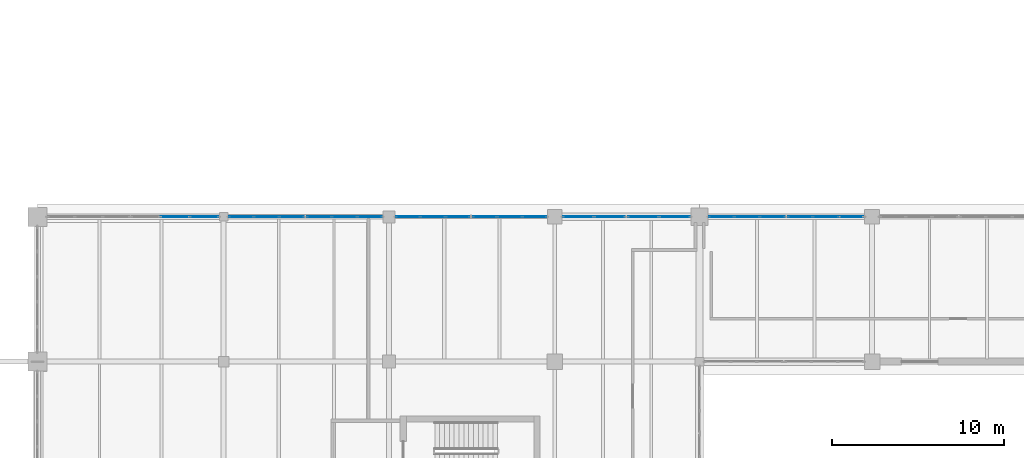
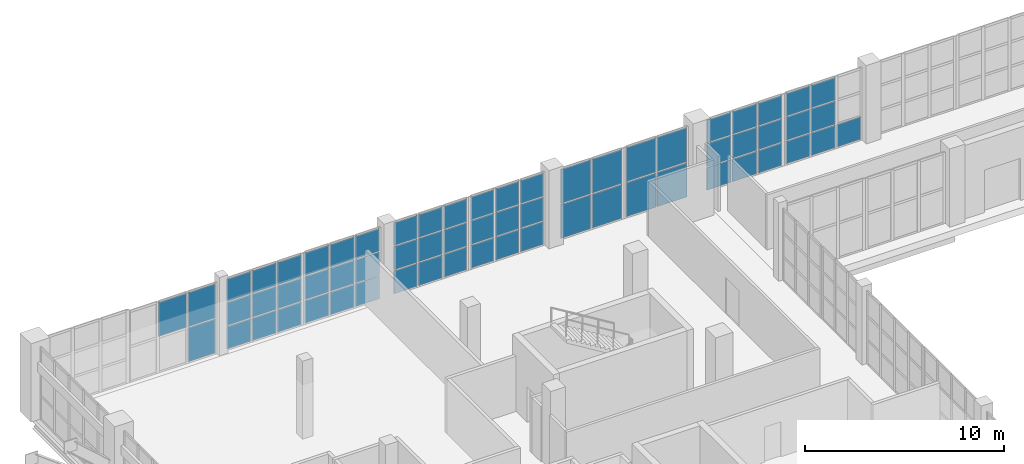
# One storey, part 75 of 121: 63 plates, 9 elements without a shape of their own.
"""IFC4 building model written with IfcOpenShell, lengths in metres."""

from ifc_helpers import new_model, si_unit, direction, frame, origin, origin_2d, place, context, subcontext, project, spatial, rectangle, extrude, material, layer, layer_set, type_object, element, aggregate, save


model = new_model("IFC4")

# Units and contexts
model_context = context("Model", 3, precision=1e-05, world=origin(), true_north=direction((0.0, 1.0)))
body_context = subcontext(model_context, "Body", "Model", "MODEL_VIEW")
ifc_project = project(units=[si_unit("LENGTHUNIT", "METRE"), si_unit("AREAUNIT", "SQUARE_METRE"), si_unit("VOLUMEUNIT", "CUBIC_METRE"), si_unit("PLANEANGLEUNIT", "RADIAN"), si_unit("MASSUNIT", "GRAM", prefix="KILO")], contexts=[model_context])

# Site, building, storey
site_placement = place(None, origin())
site = spatial("IfcSite", under=ifc_project, at=site_placement, CompositionType="ELEMENT")
building_placement = place(site_placement, origin())
building = spatial("IfcBuilding", under=site, at=building_placement, Name="Zereglee Splitstone Museum", CompositionType="ELEMENT")
storey_placement = place(building_placement, origin())
storey = spatial("IfcBuildingStorey", under=building, at=storey_placement, Name="L00", CompositionType="ELEMENT", Elevation=0.0)

# Curtain wall, plates
ifc_material_1 = material(Name="Triple-glazed low-E argon glass and bronze-anodised aluminium", Category="aluminium")
ifc_layer_1 = layer(ifc_material_1, 0.179931640625)
ifc_layer_set_1 = layer_set([ifc_layer_1], Name="Triple-glazed low-E argon glass and bronze-anodised aluminium")
curtain_wall_type_1 = type_object("IfcCurtainWallType", Name="CW-0449-444", PredefinedType="USERDEFINED", material=ifc_layer_set_1)
curtain_wall_1_placement = place(storey_placement, origin())
curtain_wall_1 = element("IfcCurtainWall", 1, at=curtain_wall_1_placement, inside=storey, type_object=curtain_wall_type_1, Name="Glazed Curtain Wall CW-0449-444 (L00)", ObjectType="GLAZED CURTAIN WALL", PredefinedType="USERDEFINED")
ifc_material_2 = material(Name="Triple low-e argon insulated safety glass", Category="glass")
ifc_layer_2 = layer(ifc_material_2, 0.035888671875)
ifc_layer_set_2 = layer_set([ifc_layer_2], Name="Triple low-e argon insulated safety glass")
plate_type = type_object("IfcPlateType", Name="CWP-01", PredefinedType="CURTAIN_PANEL", material=ifc_layer_set_2)
plate_1_placement = place(storey_placement, frame((56.802490234375, 38.39990234375, 0.06494140625), z_axis=(0.0, 0.0, 1.0), x_axis=(-1.0, 0.0, 0.0)))
plate_1 = element("IfcPlate", 2, at=plate_1_placement, type_object=plate_type, Name="CW-0449-444 panel 1.1", PredefinedType="CURTAIN_PANEL", context=body_context, shape_type="SweptSolid", body=[
    extrude(rectangle(XDim=1.39892578125, YDim=0.035888671875, at=origin_2d()), origin(), (0.0, 0.0, 1.0), 1.382568359375),
])
plate_2_placement = place(storey_placement, frame((55.322265625, 38.39990234375, 0.06494140625), z_axis=(0.0, 0.0, 1.0), x_axis=(-1.0, 0.0, 0.0)))
plate_2 = element("IfcPlate", 3, at=plate_2_placement, type_object=plate_type, Name="CW-0449-444 panel 2.1", PredefinedType="CURTAIN_PANEL", context=body_context, shape_type="SweptSolid", body=[
    extrude(rectangle(XDim=1.431396484375, YDim=0.035888671875, at=origin_2d()), origin(), (0.0, 0.0, 1.0), 1.382568359375),
])
plate_3_placement = place(storey_placement, frame((55.322265625, 38.39990234375, 1.512451171875), z_axis=(0.0, 0.0, 1.0), x_axis=(-1.0, 0.0, 0.0)))
plate_3 = element("IfcPlate", 4, at=plate_3_placement, type_object=plate_type, Name="CW-0449-444 panel 2.2", PredefinedType="CURTAIN_PANEL", context=body_context, shape_type="SweptSolid", body=[
    extrude(rectangle(XDim=1.431396484375, YDim=0.035888671875, at=origin_2d()), origin(), (0.0, 0.0, 1.0), 1.4150390625),
])
plate_4_placement = place(storey_placement, frame((55.322265625, 38.39990234375, 2.99267578125), z_axis=(0.0, 0.0, 1.0), x_axis=(-1.0, 0.0, 0.0)))
plate_4 = element("IfcPlate", 5, at=plate_4_placement, type_object=plate_type, Name="CW-0449-444 panel 2.3", PredefinedType="CURTAIN_PANEL", context=body_context, shape_type="SweptSolid", body=[
    extrude(rectangle(XDim=1.431396484375, YDim=0.035888671875, at=origin_2d()), origin(), (0.0, 0.0, 1.0), 1.382568359375),
])
plate_5_placement = place(storey_placement, frame((53.842041015625, 38.39990234375, 0.06494140625), z_axis=(0.0, 0.0, 1.0), x_axis=(-1.0, 0.0, 0.0)))
plate_5 = element("IfcPlate", 6, at=plate_5_placement, type_object=plate_type, Name="CW-0449-444 panel 3.1", PredefinedType="CURTAIN_PANEL", context=body_context, shape_type="SweptSolid", body=[
    extrude(rectangle(XDim=1.39892578125, YDim=0.035888671875, at=origin_2d()), origin(), (0.0, 0.0, 1.0), 1.382568359375),
])
plate_6_placement = place(storey_placement, frame((53.842041015625, 38.39990234375, 1.512451171875), z_axis=(0.0, 0.0, 1.0), x_axis=(-1.0, 0.0, 0.0)))
plate_6 = element("IfcPlate", 7, at=plate_6_placement, type_object=plate_type, Name="CW-0449-444 panel 3.2", PredefinedType="CURTAIN_PANEL", context=body_context, shape_type="SweptSolid", body=[
    extrude(rectangle(XDim=1.39892578125, YDim=0.035888671875, at=origin_2d()), origin(), (0.0, 0.0, 1.0), 1.4150390625),
])
plate_7_placement = place(storey_placement, frame((53.842041015625, 38.39990234375, 2.99267578125), z_axis=(0.0, 0.0, 1.0), x_axis=(-1.0, 0.0, 0.0)))
plate_7 = element("IfcPlate", 8, at=plate_7_placement, type_object=plate_type, Name="CW-0449-444 panel 3.3", PredefinedType="CURTAIN_PANEL", context=body_context, shape_type="SweptSolid", body=[
    extrude(rectangle(XDim=1.39892578125, YDim=0.035888671875, at=origin_2d()), origin(), (0.0, 0.0, 1.0), 1.382568359375),
])
aggregate(curtain_wall_1, [plate_1, plate_2, plate_3, plate_4, plate_5, plate_6, plate_7])

ifc_layer_3 = layer(ifc_material_1, 0.179931640625)
ifc_layer_set_3 = layer_set([ifc_layer_3], Name="Triple-glazed low-E argon glass and bronze-anodised aluminium")
curtain_wall_type_2 = type_object("IfcCurtainWallType", Name="CW-0449-442", PredefinedType="USERDEFINED", material=ifc_layer_set_3)
curtain_wall_2_placement = place(storey_placement, origin())
curtain_wall_2 = element("IfcCurtainWall", 9, at=curtain_wall_2_placement, inside=storey, type_object=curtain_wall_type_2, Name="Glazed Curtain Wall CW-0449-442 (L00)", ObjectType="GLAZED CURTAIN WALL", PredefinedType="USERDEFINED")
plate_8_placement = place(storey_placement, frame((52.23291015625, 38.39990234375, 0.06494140625), z_axis=(0.0, 0.0, 1.0), x_axis=(-1.0, 0.0, 0.0)))
plate_8 = element("IfcPlate", 10, at=plate_8_placement, type_object=plate_type, Name="CW-0449-442 panel 1.1", PredefinedType="CURTAIN_PANEL", context=body_context, shape_type="SweptSolid", body=[
    extrude(rectangle(XDim=1.39892578125, YDim=0.035888671875, at=origin_2d()), origin(), (0.0, 0.0, 1.0), 1.375732421875),
])
plate_9_placement = place(storey_placement, frame((52.23291015625, 38.39990234375, 1.505859375), z_axis=(0.0, 0.0, 1.0), x_axis=(-1.0, 0.0, 0.0)))
plate_9 = element("IfcPlate", 11, at=plate_9_placement, type_object=plate_type, Name="CW-0449-442 panel 1.2", PredefinedType="CURTAIN_PANEL", context=body_context, shape_type="SweptSolid", body=[
    extrude(rectangle(XDim=1.39892578125, YDim=0.035888671875, at=origin_2d()), origin(), (0.0, 0.0, 1.0), 1.408447265625),
])
plate_10_placement = place(storey_placement, frame((52.23291015625, 38.39990234375, 2.97900390625), z_axis=(0.0, 0.0, 1.0), x_axis=(-1.0, 0.0, 0.0)))
plate_10 = element("IfcPlate", 12, at=plate_10_placement, type_object=plate_type, Name="CW-0449-442 panel 1.3", PredefinedType="CURTAIN_PANEL", context=body_context, shape_type="SweptSolid", body=[
    extrude(rectangle(XDim=1.39892578125, YDim=0.035888671875, at=origin_2d()), origin(), (0.0, 0.0, 1.0), 1.375732421875),
])
plate_11_placement = place(storey_placement, frame((50.752685546875, 38.39990234375, 0.06494140625), z_axis=(0.0, 0.0, 1.0), x_axis=(-1.0, 0.0, 0.0)))
plate_11 = element("IfcPlate", 13, at=plate_11_placement, type_object=plate_type, Name="CW-0449-442 panel 2.1", PredefinedType="CURTAIN_PANEL", context=body_context, shape_type="SweptSolid", body=[
    extrude(rectangle(XDim=1.431396484375, YDim=0.035888671875, at=origin_2d()), origin(), (0.0, 0.0, 1.0), 1.375732421875),
])
plate_12_placement = place(storey_placement, frame((50.752685546875, 38.39990234375, 1.505859375), z_axis=(0.0, 0.0, 1.0), x_axis=(-1.0, 0.0, 0.0)))
plate_12 = element("IfcPlate", 14, at=plate_12_placement, type_object=plate_type, Name="CW-0449-442 panel 2.2", PredefinedType="CURTAIN_PANEL", context=body_context, shape_type="SweptSolid", body=[
    extrude(rectangle(XDim=1.431396484375, YDim=0.035888671875, at=origin_2d()), origin(), (0.0, 0.0, 1.0), 1.408447265625),
])
plate_13_placement = place(storey_placement, frame((50.752685546875, 38.39990234375, 2.97900390625), z_axis=(0.0, 0.0, 1.0), x_axis=(-1.0, 0.0, 0.0)))
plate_13 = element("IfcPlate", 15, at=plate_13_placement, type_object=plate_type, Name="CW-0449-442 panel 2.3", PredefinedType="CURTAIN_PANEL", context=body_context, shape_type="SweptSolid", body=[
    extrude(rectangle(XDim=1.431396484375, YDim=0.035888671875, at=origin_2d()), origin(), (0.0, 0.0, 1.0), 1.375732421875),
])
plate_14_placement = place(storey_placement, frame((49.2724609375, 38.39990234375, 0.06494140625), z_axis=(0.0, 0.0, 1.0), x_axis=(-1.0, 0.0, 0.0)))
plate_14 = element("IfcPlate", 16, at=plate_14_placement, type_object=plate_type, Name="CW-0449-442 panel 3.1", PredefinedType="CURTAIN_PANEL", context=body_context, shape_type="SweptSolid", body=[
    extrude(rectangle(XDim=1.39892578125, YDim=0.035888671875, at=origin_2d()), origin(), (0.0, 0.0, 1.0), 1.375732421875),
])
plate_15_placement = place(storey_placement, frame((49.2724609375, 38.39990234375, 1.505859375), z_axis=(0.0, 0.0, 1.0), x_axis=(-1.0, 0.0, 0.0)))
plate_15 = element("IfcPlate", 17, at=plate_15_placement, type_object=plate_type, Name="CW-0449-442 panel 3.2", PredefinedType="CURTAIN_PANEL", context=body_context, shape_type="SweptSolid", body=[
    extrude(rectangle(XDim=1.39892578125, YDim=0.035888671875, at=origin_2d()), origin(), (0.0, 0.0, 1.0), 1.408447265625),
])
plate_16_placement = place(storey_placement, frame((49.2724609375, 38.39990234375, 2.97900390625), z_axis=(0.0, 0.0, 1.0), x_axis=(-1.0, 0.0, 0.0)))
plate_16 = element("IfcPlate", 18, at=plate_16_placement, type_object=plate_type, Name="CW-0449-442 panel 3.3", PredefinedType="CURTAIN_PANEL", context=body_context, shape_type="SweptSolid", body=[
    extrude(rectangle(XDim=1.39892578125, YDim=0.035888671875, at=origin_2d()), origin(), (0.0, 0.0, 1.0), 1.375732421875),
])
aggregate(curtain_wall_2, [plate_8, plate_9, plate_10, plate_11, plate_12, plate_13, plate_14, plate_15, plate_16])

ifc_layer_4 = layer(ifc_material_1, 0.179931640625)
ifc_layer_set_4 = layer_set([ifc_layer_4], Name="Triple-glazed low-E argon glass and bronze-anodised aluminium")
curtain_wall_type_3 = type_object("IfcCurtainWallType", Name="CW-0369-438", PredefinedType="USERDEFINED", material=ifc_layer_set_4)
curtain_wall_3_placement = place(storey_placement, origin())
curtain_wall_3 = element("IfcCurtainWall", 19, at=curtain_wall_3_placement, inside=storey, type_object=curtain_wall_type_3, Name="Glazed Curtain Wall CW-0369-438 (L00)", ObjectType="GLAZED CURTAIN WALL", PredefinedType="USERDEFINED")
plate_17_placement = place(storey_placement, frame((46.553466796875, 38.39990234375, 0.06494140625), z_axis=(0.0, 0.0, 1.0), x_axis=(-1.0, 0.0, 0.0)))
plate_17 = element("IfcPlate", 20, at=plate_17_placement, type_object=plate_type, Name="CW-0369-438 panel 1.1", PredefinedType="CURTAIN_PANEL", context=body_context, shape_type="SweptSolid", body=[
    extrude(rectangle(XDim=1.747314453125, YDim=0.035888671875, at=origin_2d()), origin(), (0.0, 0.0, 1.0), 2.092529296875),
])
plate_18_placement = place(storey_placement, frame((46.553466796875, 38.39990234375, 2.22265625), z_axis=(0.0, 0.0, 1.0), x_axis=(-1.0, 0.0, 0.0)))
plate_18 = element("IfcPlate", 21, at=plate_18_placement, type_object=plate_type, Name="CW-0369-438 panel 1.2", PredefinedType="CURTAIN_PANEL", context=body_context, shape_type="SweptSolid", body=[
    extrude(rectangle(XDim=1.747314453125, YDim=0.035888671875, at=origin_2d()), origin(), (0.0, 0.0, 1.0), 2.092529296875),
])
plate_19_placement = place(storey_placement, frame((44.7412109375, 38.39990234375, 0.06494140625), z_axis=(0.0, 0.0, 1.0), x_axis=(-1.0, 0.0, 0.0)))
plate_19 = element("IfcPlate", 22, at=plate_19_placement, type_object=plate_type, Name="CW-0369-438 panel 2.1", PredefinedType="CURTAIN_PANEL", context=body_context, shape_type="SweptSolid", body=[
    extrude(rectangle(XDim=1.747314453125, YDim=0.035888671875, at=origin_2d()), origin(), (0.0, 0.0, 1.0), 2.092529296875),
])
plate_20_placement = place(storey_placement, frame((44.7412109375, 38.39990234375, 2.22265625), z_axis=(0.0, 0.0, 1.0), x_axis=(-1.0, 0.0, 0.0)))
plate_20 = element("IfcPlate", 23, at=plate_20_placement, type_object=plate_type, Name="CW-0369-438 panel 2.2", PredefinedType="CURTAIN_PANEL", context=body_context, shape_type="SweptSolid", body=[
    extrude(rectangle(XDim=1.747314453125, YDim=0.035888671875, at=origin_2d()), origin(), (0.0, 0.0, 1.0), 2.092529296875),
])
aggregate(curtain_wall_3, [plate_17, plate_18, plate_19, plate_20])

ifc_layer_5 = layer(ifc_material_1, 0.179931640625)
ifc_layer_set_5 = layer_set([ifc_layer_5], Name="Triple-glazed low-E argon glass and bronze-anodised aluminium")
curtain_wall_type_4 = type_object("IfcCurtainWallType", Name="CW-0369-436", PredefinedType="USERDEFINED", material=ifc_layer_set_5)
curtain_wall_4_placement = place(storey_placement, origin())
curtain_wall_4 = element("IfcCurtainWall", 24, at=curtain_wall_4_placement, inside=storey, type_object=curtain_wall_type_4, Name="Glazed Curtain Wall CW-0369-436 (L00)", ObjectType="GLAZED CURTAIN WALL", PredefinedType="USERDEFINED")
plate_21_placement = place(storey_placement, frame((42.783935546875, 38.39990234375, 0.06494140625), z_axis=(0.0, 0.0, 1.0), x_axis=(-1.0, 0.0, 0.0)))
plate_21 = element("IfcPlate", 25, at=plate_21_placement, type_object=plate_type, Name="CW-0369-436 panel 1.1", PredefinedType="CURTAIN_PANEL", context=body_context, shape_type="SweptSolid", body=[
    extrude(rectangle(XDim=1.747314453125, YDim=0.035888671875, at=origin_2d()), origin(), (0.0, 0.0, 1.0), 2.08251953125),
])
plate_22_placement = place(storey_placement, frame((42.783935546875, 38.39990234375, 2.21240234375), z_axis=(0.0, 0.0, 1.0), x_axis=(-1.0, 0.0, 0.0)))
plate_22 = element("IfcPlate", 26, at=plate_22_placement, type_object=plate_type, Name="CW-0369-436 panel 1.2", PredefinedType="CURTAIN_PANEL", context=body_context, shape_type="SweptSolid", body=[
    extrude(rectangle(XDim=1.747314453125, YDim=0.035888671875, at=origin_2d()), origin(), (0.0, 0.0, 1.0), 2.08251953125),
])
plate_23_placement = place(storey_placement, frame((40.9716796875, 38.39990234375, 0.06494140625), z_axis=(0.0, 0.0, 1.0), x_axis=(-1.0, 0.0, 0.0)))
plate_23 = element("IfcPlate", 27, at=plate_23_placement, type_object=plate_type, Name="CW-0369-436 panel 2.1", PredefinedType="CURTAIN_PANEL", context=body_context, shape_type="SweptSolid", body=[
    extrude(rectangle(XDim=1.747314453125, YDim=0.035888671875, at=origin_2d()), origin(), (0.0, 0.0, 1.0), 2.08251953125),
])
plate_24_placement = place(storey_placement, frame((40.9716796875, 38.39990234375, 2.21240234375), z_axis=(0.0, 0.0, 1.0), x_axis=(-1.0, 0.0, 0.0)))
plate_24 = element("IfcPlate", 28, at=plate_24_placement, type_object=plate_type, Name="CW-0369-436 panel 2.2", PredefinedType="CURTAIN_PANEL", context=body_context, shape_type="SweptSolid", body=[
    extrude(rectangle(XDim=1.747314453125, YDim=0.035888671875, at=origin_2d()), origin(), (0.0, 0.0, 1.0), 2.08251953125),
])
aggregate(curtain_wall_4, [plate_21, plate_22, plate_23, plate_24])

ifc_layer_6 = layer(ifc_material_1, 0.179931640625)
ifc_layer_set_6 = layer_set([ifc_layer_6], Name="Triple-glazed low-E argon glass and bronze-anodised aluminium")
curtain_wall_type_5 = type_object("IfcCurtainWallType", Name="CW-0436-450", PredefinedType="USERDEFINED", material=ifc_layer_set_6)
curtain_wall_5_placement = place(storey_placement, origin())
curtain_wall_5 = element("IfcCurtainWall", 29, at=curtain_wall_5_placement, inside=storey, type_object=curtain_wall_type_5, Name="Glazed Curtain Wall CW-0436-450 (L00)", ObjectType="GLAZED CURTAIN WALL", PredefinedType="USERDEFINED")
plate_25_placement = place(storey_placement, frame((38.42333984375, 38.39990234375, 0.06494140625), z_axis=(0.0, 0.0, 1.0), x_axis=(-1.0, 0.0, 0.0)))
plate_25 = element("IfcPlate", 30, at=plate_25_placement, type_object=plate_type, Name="CW-0436-450 panel 1.1", PredefinedType="CURTAIN_PANEL", context=body_context, shape_type="SweptSolid", body=[
    extrude(rectangle(XDim=1.357421875, YDim=0.035888671875, at=origin_2d()), origin(), (0.0, 0.0, 1.0), 1.402587890625),
])
plate_26_placement = place(storey_placement, frame((38.42333984375, 38.39990234375, 1.532470703125), z_axis=(0.0, 0.0, 1.0), x_axis=(-1.0, 0.0, 0.0)))
plate_26 = element("IfcPlate", 31, at=plate_26_placement, type_object=plate_type, Name="CW-0436-450 panel 1.2", PredefinedType="CURTAIN_PANEL", context=body_context, shape_type="SweptSolid", body=[
    extrude(rectangle(XDim=1.357421875, YDim=0.035888671875, at=origin_2d()), origin(), (0.0, 0.0, 1.0), 1.43505859375),
])
plate_27_placement = place(storey_placement, frame((38.42333984375, 38.39990234375, 3.0322265625), z_axis=(0.0, 0.0, 1.0), x_axis=(-1.0, 0.0, 0.0)))
plate_27 = element("IfcPlate", 32, at=plate_27_placement, type_object=plate_type, Name="CW-0436-450 panel 1.3", PredefinedType="CURTAIN_PANEL", context=body_context, shape_type="SweptSolid", body=[
    extrude(rectangle(XDim=1.357421875, YDim=0.035888671875, at=origin_2d()), origin(), (0.0, 0.0, 1.0), 1.402587890625),
])
plate_28_placement = place(storey_placement, frame((36.98486328125, 38.39990234375, 0.06494140625), z_axis=(0.0, 0.0, 1.0), x_axis=(-1.0, 0.0, 0.0)))
plate_28 = element("IfcPlate", 33, at=plate_28_placement, type_object=plate_type, Name="CW-0436-450 panel 2.1", PredefinedType="CURTAIN_PANEL", context=body_context, shape_type="SweptSolid", body=[
    extrude(rectangle(XDim=1.389892578125, YDim=0.035888671875, at=origin_2d()), origin(), (0.0, 0.0, 1.0), 1.402587890625),
])
plate_29_placement = place(storey_placement, frame((36.98486328125, 38.39990234375, 1.532470703125), z_axis=(0.0, 0.0, 1.0), x_axis=(-1.0, 0.0, 0.0)))
plate_29 = element("IfcPlate", 34, at=plate_29_placement, type_object=plate_type, Name="CW-0436-450 panel 2.2", PredefinedType="CURTAIN_PANEL", context=body_context, shape_type="SweptSolid", body=[
    extrude(rectangle(XDim=1.389892578125, YDim=0.035888671875, at=origin_2d()), origin(), (0.0, 0.0, 1.0), 1.43505859375),
])
plate_30_placement = place(storey_placement, frame((36.98486328125, 38.39990234375, 3.0322265625), z_axis=(0.0, 0.0, 1.0), x_axis=(-1.0, 0.0, 0.0)))
plate_30 = element("IfcPlate", 35, at=plate_30_placement, type_object=plate_type, Name="CW-0436-450 panel 2.3", PredefinedType="CURTAIN_PANEL", context=body_context, shape_type="SweptSolid", body=[
    extrude(rectangle(XDim=1.389892578125, YDim=0.035888671875, at=origin_2d()), origin(), (0.0, 0.0, 1.0), 1.402587890625),
])
plate_31_placement = place(storey_placement, frame((35.546142578125, 38.39990234375, 0.06494140625), z_axis=(0.0, 0.0, 1.0), x_axis=(-1.0, 0.0, 0.0)))
plate_31 = element("IfcPlate", 36, at=plate_31_placement, type_object=plate_type, Name="CW-0436-450 panel 3.1", PredefinedType="CURTAIN_PANEL", context=body_context, shape_type="SweptSolid", body=[
    extrude(rectangle(XDim=1.357421875, YDim=0.035888671875, at=origin_2d()), origin(), (0.0, 0.0, 1.0), 1.402587890625),
])
plate_32_placement = place(storey_placement, frame((35.546142578125, 38.39990234375, 1.532470703125), z_axis=(0.0, 0.0, 1.0), x_axis=(-1.0, 0.0, 0.0)))
plate_32 = element("IfcPlate", 37, at=plate_32_placement, type_object=plate_type, Name="CW-0436-450 panel 3.2", PredefinedType="CURTAIN_PANEL", context=body_context, shape_type="SweptSolid", body=[
    extrude(rectangle(XDim=1.357421875, YDim=0.035888671875, at=origin_2d()), origin(), (0.0, 0.0, 1.0), 1.43505859375),
])
plate_33_placement = place(storey_placement, frame((35.546142578125, 38.39990234375, 3.0322265625), z_axis=(0.0, 0.0, 1.0), x_axis=(-1.0, 0.0, 0.0)))
plate_33 = element("IfcPlate", 38, at=plate_33_placement, type_object=plate_type, Name="CW-0436-450 panel 3.3", PredefinedType="CURTAIN_PANEL", context=body_context, shape_type="SweptSolid", body=[
    extrude(rectangle(XDim=1.357421875, YDim=0.035888671875, at=origin_2d()), origin(), (0.0, 0.0, 1.0), 1.402587890625),
])
aggregate(curtain_wall_5, [plate_25, plate_26, plate_27, plate_28, plate_29, plate_30, plate_31, plate_32, plate_33])

ifc_layer_7 = layer(ifc_material_1, 0.179931640625)
ifc_layer_set_7 = layer_set([ifc_layer_7], Name="Triple-glazed low-E argon glass and bronze-anodised aluminium")
curtain_wall_type_6 = type_object("IfcCurtainWallType", Name="CW-0436-448", PredefinedType="USERDEFINED", material=ifc_layer_set_7)
curtain_wall_6_placement = place(storey_placement, origin())
curtain_wall_6 = element("IfcCurtainWall", 39, at=curtain_wall_6_placement, inside=storey, type_object=curtain_wall_type_6, Name="Glazed Curtain Wall CW-0436-448 (L00)", ObjectType="GLAZED CURTAIN WALL", PredefinedType="USERDEFINED")
plate_34_placement = place(storey_placement, frame((33.978759765625, 38.39990234375, 0.06494140625), z_axis=(0.0, 0.0, 1.0), x_axis=(-1.0, 0.0, 0.0)))
plate_34 = element("IfcPlate", 40, at=plate_34_placement, type_object=plate_type, Name="CW-0436-448 panel 1.1", PredefinedType="CURTAIN_PANEL", context=body_context, shape_type="SweptSolid", body=[
    extrude(rectangle(XDim=1.357421875, YDim=0.035888671875, at=origin_2d()), origin(), (0.0, 0.0, 1.0), 1.395751953125),
])
plate_35_placement = place(storey_placement, frame((33.978759765625, 38.39990234375, 1.52587890625), z_axis=(0.0, 0.0, 1.0), x_axis=(-1.0, 0.0, 0.0)))
plate_35 = element("IfcPlate", 41, at=plate_35_placement, type_object=plate_type, Name="CW-0436-448 panel 1.2", PredefinedType="CURTAIN_PANEL", context=body_context, shape_type="SweptSolid", body=[
    extrude(rectangle(XDim=1.357421875, YDim=0.035888671875, at=origin_2d()), origin(), (0.0, 0.0, 1.0), 1.428466796875),
])
plate_36_placement = place(storey_placement, frame((33.978759765625, 38.39990234375, 3.01904296875), z_axis=(0.0, 0.0, 1.0), x_axis=(-1.0, 0.0, 0.0)))
plate_36 = element("IfcPlate", 42, at=plate_36_placement, type_object=plate_type, Name="CW-0436-448 panel 1.3", PredefinedType="CURTAIN_PANEL", context=body_context, shape_type="SweptSolid", body=[
    extrude(rectangle(XDim=1.357421875, YDim=0.035888671875, at=origin_2d()), origin(), (0.0, 0.0, 1.0), 1.395751953125),
])
plate_37_placement = place(storey_placement, frame((32.540283203125, 38.39990234375, 0.06494140625), z_axis=(0.0, 0.0, 1.0), x_axis=(-1.0, 0.0, 0.0)))
plate_37 = element("IfcPlate", 43, at=plate_37_placement, type_object=plate_type, Name="CW-0436-448 panel 2.1", PredefinedType="CURTAIN_PANEL", context=body_context, shape_type="SweptSolid", body=[
    extrude(rectangle(XDim=1.389892578125, YDim=0.035888671875, at=origin_2d()), origin(), (0.0, 0.0, 1.0), 1.395751953125),
])
plate_38_placement = place(storey_placement, frame((32.540283203125, 38.39990234375, 1.52587890625), z_axis=(0.0, 0.0, 1.0), x_axis=(-1.0, 0.0, 0.0)))
plate_38 = element("IfcPlate", 44, at=plate_38_placement, type_object=plate_type, Name="CW-0436-448 panel 2.2", PredefinedType="CURTAIN_PANEL", context=body_context, shape_type="SweptSolid", body=[
    extrude(rectangle(XDim=1.389892578125, YDim=0.035888671875, at=origin_2d()), origin(), (0.0, 0.0, 1.0), 1.428466796875),
])
plate_39_placement = place(storey_placement, frame((32.540283203125, 38.39990234375, 3.01904296875), z_axis=(0.0, 0.0, 1.0), x_axis=(-1.0, 0.0, 0.0)))
plate_39 = element("IfcPlate", 45, at=plate_39_placement, type_object=plate_type, Name="CW-0436-448 panel 2.3", PredefinedType="CURTAIN_PANEL", context=body_context, shape_type="SweptSolid", body=[
    extrude(rectangle(XDim=1.389892578125, YDim=0.035888671875, at=origin_2d()), origin(), (0.0, 0.0, 1.0), 1.395751953125),
])
plate_40_placement = place(storey_placement, frame((31.1015625, 38.39990234375, 0.06494140625), z_axis=(0.0, 0.0, 1.0), x_axis=(-1.0, 0.0, 0.0)))
plate_40 = element("IfcPlate", 46, at=plate_40_placement, type_object=plate_type, Name="CW-0436-448 panel 3.1", PredefinedType="CURTAIN_PANEL", context=body_context, shape_type="SweptSolid", body=[
    extrude(rectangle(XDim=1.357421875, YDim=0.035888671875, at=origin_2d()), origin(), (0.0, 0.0, 1.0), 1.395751953125),
])
plate_41_placement = place(storey_placement, frame((31.1015625, 38.39990234375, 1.52587890625), z_axis=(0.0, 0.0, 1.0), x_axis=(-1.0, 0.0, 0.0)))
plate_41 = element("IfcPlate", 47, at=plate_41_placement, type_object=plate_type, Name="CW-0436-448 panel 3.2", PredefinedType="CURTAIN_PANEL", context=body_context, shape_type="SweptSolid", body=[
    extrude(rectangle(XDim=1.357421875, YDim=0.035888671875, at=origin_2d()), origin(), (0.0, 0.0, 1.0), 1.428466796875),
])
plate_42_placement = place(storey_placement, frame((31.1015625, 38.39990234375, 3.01904296875), z_axis=(0.0, 0.0, 1.0), x_axis=(-1.0, 0.0, 0.0)))
plate_42 = element("IfcPlate", 48, at=plate_42_placement, type_object=plate_type, Name="CW-0436-448 panel 3.3", PredefinedType="CURTAIN_PANEL", context=body_context, shape_type="SweptSolid", body=[
    extrude(rectangle(XDim=1.357421875, YDim=0.035888671875, at=origin_2d()), origin(), (0.0, 0.0, 1.0), 1.395751953125),
])
aggregate(curtain_wall_6, [plate_34, plate_35, plate_36, plate_37, plate_38, plate_39, plate_40, plate_41, plate_42])

ifc_layer_8 = layer(ifc_material_1, 0.179931640625)
ifc_layer_set_8 = layer_set([ifc_layer_8], Name="Triple-glazed low-E argon glass and bronze-anodised aluminium")
curtain_wall_type_7 = type_object("IfcCurtainWallType", Name="CW-0445-444", PredefinedType="USERDEFINED", material=ifc_layer_set_8)
curtain_wall_7_placement = place(storey_placement, origin())
curtain_wall_7 = element("IfcCurtainWall", 49, at=curtain_wall_7_placement, inside=storey, type_object=curtain_wall_type_7, Name="Glazed Curtain Wall CW-0445-444 (L00)", ObjectType="GLAZED CURTAIN WALL", PredefinedType="USERDEFINED")
plate_43_placement = place(storey_placement, frame((28.8837890625, 38.39990234375, 0.06494140625), z_axis=(0.0, 0.0, 1.0), x_axis=(-1.0, 0.0, 0.0)))
plate_43 = element("IfcPlate", 50, at=plate_43_placement, type_object=plate_type, Name="CW-0445-444 panel 1.1", PredefinedType="CURTAIN_PANEL", context=body_context, shape_type="SweptSolid", body=[
    extrude(rectangle(XDim=1.386474609375, YDim=0.035888671875, at=origin_2d()), origin(), (0.0, 0.0, 1.0), 1.382568359375),
])
plate_44_placement = place(storey_placement, frame((28.8837890625, 38.39990234375, 1.512451171875), z_axis=(0.0, 0.0, 1.0), x_axis=(-1.0, 0.0, 0.0)))
plate_44 = element("IfcPlate", 51, at=plate_44_placement, type_object=plate_type, Name="CW-0445-444 panel 1.2", PredefinedType="CURTAIN_PANEL", context=body_context, shape_type="SweptSolid", body=[
    extrude(rectangle(XDim=1.386474609375, YDim=0.035888671875, at=origin_2d()), origin(), (0.0, 0.0, 1.0), 1.4150390625),
])
plate_45_placement = place(storey_placement, frame((28.8837890625, 38.39990234375, 2.99267578125), z_axis=(0.0, 0.0, 1.0), x_axis=(-1.0, 0.0, 0.0)))
plate_45 = element("IfcPlate", 52, at=plate_45_placement, type_object=plate_type, Name="CW-0445-444 panel 1.3", PredefinedType="CURTAIN_PANEL", context=body_context, shape_type="SweptSolid", body=[
    extrude(rectangle(XDim=1.386474609375, YDim=0.035888671875, at=origin_2d()), origin(), (0.0, 0.0, 1.0), 1.382568359375),
])
plate_46_placement = place(storey_placement, frame((27.416015625, 38.39990234375, 0.06494140625), z_axis=(0.0, 0.0, 1.0), x_axis=(-1.0, 0.0, 0.0)))
plate_46 = element("IfcPlate", 53, at=plate_46_placement, type_object=plate_type, Name="CW-0445-444 panel 2.1", PredefinedType="CURTAIN_PANEL", context=body_context, shape_type="SweptSolid", body=[
    extrude(rectangle(XDim=1.4189453125, YDim=0.035888671875, at=origin_2d()), origin(), (0.0, 0.0, 1.0), 1.382568359375),
])
plate_47_placement = place(storey_placement, frame((27.416015625, 38.39990234375, 1.512451171875), z_axis=(0.0, 0.0, 1.0), x_axis=(-1.0, 0.0, 0.0)))
plate_47 = element("IfcPlate", 54, at=plate_47_placement, type_object=plate_type, Name="CW-0445-444 panel 2.2", PredefinedType="CURTAIN_PANEL", context=body_context, shape_type="SweptSolid", body=[
    extrude(rectangle(XDim=1.4189453125, YDim=0.035888671875, at=origin_2d()), origin(), (0.0, 0.0, 1.0), 1.4150390625),
])
plate_48_placement = place(storey_placement, frame((27.416015625, 38.39990234375, 2.99267578125), z_axis=(0.0, 0.0, 1.0), x_axis=(-1.0, 0.0, 0.0)))
plate_48 = element("IfcPlate", 55, at=plate_48_placement, type_object=plate_type, Name="CW-0445-444 panel 2.3", PredefinedType="CURTAIN_PANEL", context=body_context, shape_type="SweptSolid", body=[
    extrude(rectangle(XDim=1.4189453125, YDim=0.035888671875, at=origin_2d()), origin(), (0.0, 0.0, 1.0), 1.382568359375),
])
plate_49_placement = place(storey_placement, frame((25.9482421875, 38.39990234375, 0.06494140625), z_axis=(0.0, 0.0, 1.0), x_axis=(-1.0, 0.0, 0.0)))
plate_49 = element("IfcPlate", 56, at=plate_49_placement, type_object=plate_type, Name="CW-0445-444 panel 3.1", PredefinedType="CURTAIN_PANEL", context=body_context, shape_type="SweptSolid", body=[
    extrude(rectangle(XDim=1.386474609375, YDim=0.035888671875, at=origin_2d()), origin(), (0.0, 0.0, 1.0), 1.382568359375),
])
plate_50_placement = place(storey_placement, frame((25.9482421875, 38.39990234375, 1.512451171875), z_axis=(0.0, 0.0, 1.0), x_axis=(-1.0, 0.0, 0.0)))
plate_50 = element("IfcPlate", 57, at=plate_50_placement, type_object=plate_type, Name="CW-0445-444 panel 3.2", PredefinedType="CURTAIN_PANEL", context=body_context, shape_type="SweptSolid", body=[
    extrude(rectangle(XDim=1.386474609375, YDim=0.035888671875, at=origin_2d()), origin(), (0.0, 0.0, 1.0), 1.4150390625),
])
plate_51_placement = place(storey_placement, frame((25.9482421875, 38.39990234375, 2.99267578125), z_axis=(0.0, 0.0, 1.0), x_axis=(-1.0, 0.0, 0.0)))
plate_51 = element("IfcPlate", 58, at=plate_51_placement, type_object=plate_type, Name="CW-0445-444 panel 3.3", PredefinedType="CURTAIN_PANEL", context=body_context, shape_type="SweptSolid", body=[
    extrude(rectangle(XDim=1.386474609375, YDim=0.035888671875, at=origin_2d()), origin(), (0.0, 0.0, 1.0), 1.382568359375),
])
aggregate(curtain_wall_7, [plate_43, plate_44, plate_45, plate_46, plate_47, plate_48, plate_49, plate_50, plate_51])

ifc_layer_9 = layer(ifc_material_1, 0.179931640625)
ifc_layer_set_9 = layer_set([ifc_layer_9], Name="Triple-glazed low-E argon glass and bronze-anodised aluminium")
curtain_wall_type_8 = type_object("IfcCurtainWallType", Name="CW-0445-442", PredefinedType="USERDEFINED", material=ifc_layer_set_9)
curtain_wall_8_placement = place(storey_placement, origin())
curtain_wall_8 = element("IfcCurtainWall", 59, at=curtain_wall_8_placement, inside=storey, type_object=curtain_wall_type_8, Name="Glazed Curtain Wall CW-0445-442 (L00)", ObjectType="GLAZED CURTAIN WALL", PredefinedType="USERDEFINED")
plate_52_placement = place(storey_placement, frame((24.351806640625, 38.39990234375, 0.06494140625), z_axis=(0.0, 0.0, 1.0), x_axis=(-1.0, 0.0, 0.0)))
plate_52 = element("IfcPlate", 60, at=plate_52_placement, type_object=plate_type, Name="CW-0445-442 panel 1.1", PredefinedType="CURTAIN_PANEL", context=body_context, shape_type="SweptSolid", body=[
    extrude(rectangle(XDim=1.386474609375, YDim=0.035888671875, at=origin_2d()), origin(), (0.0, 0.0, 1.0), 1.375732421875),
])
plate_53_placement = place(storey_placement, frame((24.351806640625, 38.39990234375, 1.505859375), z_axis=(0.0, 0.0, 1.0), x_axis=(-1.0, 0.0, 0.0)))
plate_53 = element("IfcPlate", 61, at=plate_53_placement, type_object=plate_type, Name="CW-0445-442 panel 1.2", PredefinedType="CURTAIN_PANEL", context=body_context, shape_type="SweptSolid", body=[
    extrude(rectangle(XDim=1.386474609375, YDim=0.035888671875, at=origin_2d()), origin(), (0.0, 0.0, 1.0), 1.408447265625),
])
plate_54_placement = place(storey_placement, frame((24.351806640625, 38.39990234375, 2.97900390625), z_axis=(0.0, 0.0, 1.0), x_axis=(-1.0, 0.0, 0.0)))
plate_54 = element("IfcPlate", 62, at=plate_54_placement, type_object=plate_type, Name="CW-0445-442 panel 1.3", PredefinedType="CURTAIN_PANEL", context=body_context, shape_type="SweptSolid", body=[
    extrude(rectangle(XDim=1.386474609375, YDim=0.035888671875, at=origin_2d()), origin(), (0.0, 0.0, 1.0), 1.375732421875),
])
plate_55_placement = place(storey_placement, frame((22.884033203125, 38.39990234375, 0.06494140625), z_axis=(0.0, 0.0, 1.0), x_axis=(-1.0, 0.0, 0.0)))
plate_55 = element("IfcPlate", 63, at=plate_55_placement, type_object=plate_type, Name="CW-0445-442 panel 2.1", PredefinedType="CURTAIN_PANEL", context=body_context, shape_type="SweptSolid", body=[
    extrude(rectangle(XDim=1.4189453125, YDim=0.035888671875, at=origin_2d()), origin(), (0.0, 0.0, 1.0), 1.375732421875),
])
plate_56_placement = place(storey_placement, frame((22.884033203125, 38.39990234375, 1.505859375), z_axis=(0.0, 0.0, 1.0), x_axis=(-1.0, 0.0, 0.0)))
plate_56 = element("IfcPlate", 64, at=plate_56_placement, type_object=plate_type, Name="CW-0445-442 panel 2.2", PredefinedType="CURTAIN_PANEL", context=body_context, shape_type="SweptSolid", body=[
    extrude(rectangle(XDim=1.4189453125, YDim=0.035888671875, at=origin_2d()), origin(), (0.0, 0.0, 1.0), 1.408447265625),
])
plate_57_placement = place(storey_placement, frame((22.884033203125, 38.39990234375, 2.97900390625), z_axis=(0.0, 0.0, 1.0), x_axis=(-1.0, 0.0, 0.0)))
plate_57 = element("IfcPlate", 65, at=plate_57_placement, type_object=plate_type, Name="CW-0445-442 panel 2.3", PredefinedType="CURTAIN_PANEL", context=body_context, shape_type="SweptSolid", body=[
    extrude(rectangle(XDim=1.4189453125, YDim=0.035888671875, at=origin_2d()), origin(), (0.0, 0.0, 1.0), 1.375732421875),
])
plate_58_placement = place(storey_placement, frame((21.416259765625, 38.39990234375, 0.06494140625), z_axis=(0.0, 0.0, 1.0), x_axis=(-1.0, 0.0, 0.0)))
plate_58 = element("IfcPlate", 66, at=plate_58_placement, type_object=plate_type, Name="CW-0445-442 panel 3.1", PredefinedType="CURTAIN_PANEL", context=body_context, shape_type="SweptSolid", body=[
    extrude(rectangle(XDim=1.386474609375, YDim=0.035888671875, at=origin_2d()), origin(), (0.0, 0.0, 1.0), 1.375732421875),
])
plate_59_placement = place(storey_placement, frame((21.416259765625, 38.39990234375, 1.505859375), z_axis=(0.0, 0.0, 1.0), x_axis=(-1.0, 0.0, 0.0)))
plate_59 = element("IfcPlate", 67, at=plate_59_placement, type_object=plate_type, Name="CW-0445-442 panel 3.2", PredefinedType="CURTAIN_PANEL", context=body_context, shape_type="SweptSolid", body=[
    extrude(rectangle(XDim=1.386474609375, YDim=0.035888671875, at=origin_2d()), origin(), (0.0, 0.0, 1.0), 1.408447265625),
])
plate_60_placement = place(storey_placement, frame((21.416259765625, 38.39990234375, 2.97900390625), z_axis=(0.0, 0.0, 1.0), x_axis=(-1.0, 0.0, 0.0)))
plate_60 = element("IfcPlate", 68, at=plate_60_placement, type_object=plate_type, Name="CW-0445-442 panel 3.3", PredefinedType="CURTAIN_PANEL", context=body_context, shape_type="SweptSolid", body=[
    extrude(rectangle(XDim=1.386474609375, YDim=0.035888671875, at=origin_2d()), origin(), (0.0, 0.0, 1.0), 1.375732421875),
])
aggregate(curtain_wall_8, [plate_52, plate_53, plate_54, plate_55, plate_56, plate_57, plate_58, plate_59, plate_60])

ifc_layer_10 = layer(ifc_material_1, 0.179931640625)
ifc_layer_set_10 = layer_set([ifc_layer_10], Name="Triple-glazed low-E argon glass and bronze-anodised aluminium")
curtain_wall_type_9 = type_object("IfcCurtainWallType", Name="CW-0514-438", PredefinedType="USERDEFINED", material=ifc_layer_set_10)
curtain_wall_9_placement = place(storey_placement, origin())
curtain_wall_9 = element("IfcCurtainWall", 69, at=curtain_wall_9_placement, inside=storey, type_object=curtain_wall_type_9, Name="Glazed Curtain Wall CW-0514-438 (L00)", ObjectType="GLAZED CURTAIN WALL", PredefinedType="USERDEFINED")
plate_61_placement = place(storey_placement, frame((19.268798828125, 38.39990234375, 0.06494140625), z_axis=(0.0, 0.0, 1.0), x_axis=(-1.0, 0.0, 0.0)))
plate_61 = element("IfcPlate", 70, at=plate_61_placement, type_object=plate_type, Name="CW-0514-438 panel 1.1", PredefinedType="CURTAIN_PANEL", context=body_context, shape_type="SweptSolid", body=[
    extrude(rectangle(XDim=1.616455078125, YDim=0.035888671875, at=origin_2d()), origin(), (0.0, 0.0, 1.0), 2.092529296875),
])
plate_62_placement = place(storey_placement, frame((19.268798828125, 38.39990234375, 2.22265625), z_axis=(0.0, 0.0, 1.0), x_axis=(-1.0, 0.0, 0.0)))
plate_62 = element("IfcPlate", 71, at=plate_62_placement, type_object=plate_type, Name="CW-0514-438 panel 1.2", PredefinedType="CURTAIN_PANEL", context=body_context, shape_type="SweptSolid", body=[
    extrude(rectangle(XDim=1.616455078125, YDim=0.035888671875, at=origin_2d()), origin(), (0.0, 0.0, 1.0), 2.092529296875),
])
plate_63_placement = place(storey_placement, frame((17.571044921875, 38.39990234375, 2.22265625), z_axis=(0.0, 0.0, 1.0), x_axis=(-1.0, 0.0, 0.0)))
plate_63 = element("IfcPlate", 72, at=plate_63_placement, type_object=plate_type, Name="CW-0514-438 panel 2.2", PredefinedType="CURTAIN_PANEL", context=body_context, shape_type="SweptSolid", body=[
    extrude(rectangle(XDim=1.64892578125, YDim=0.035888671875, at=origin_2d()), origin(), (0.0, 0.0, 1.0), 2.092529296875),
])
aggregate(curtain_wall_9, [plate_61, plate_62, plate_63])

save(model, "model.ifc")
